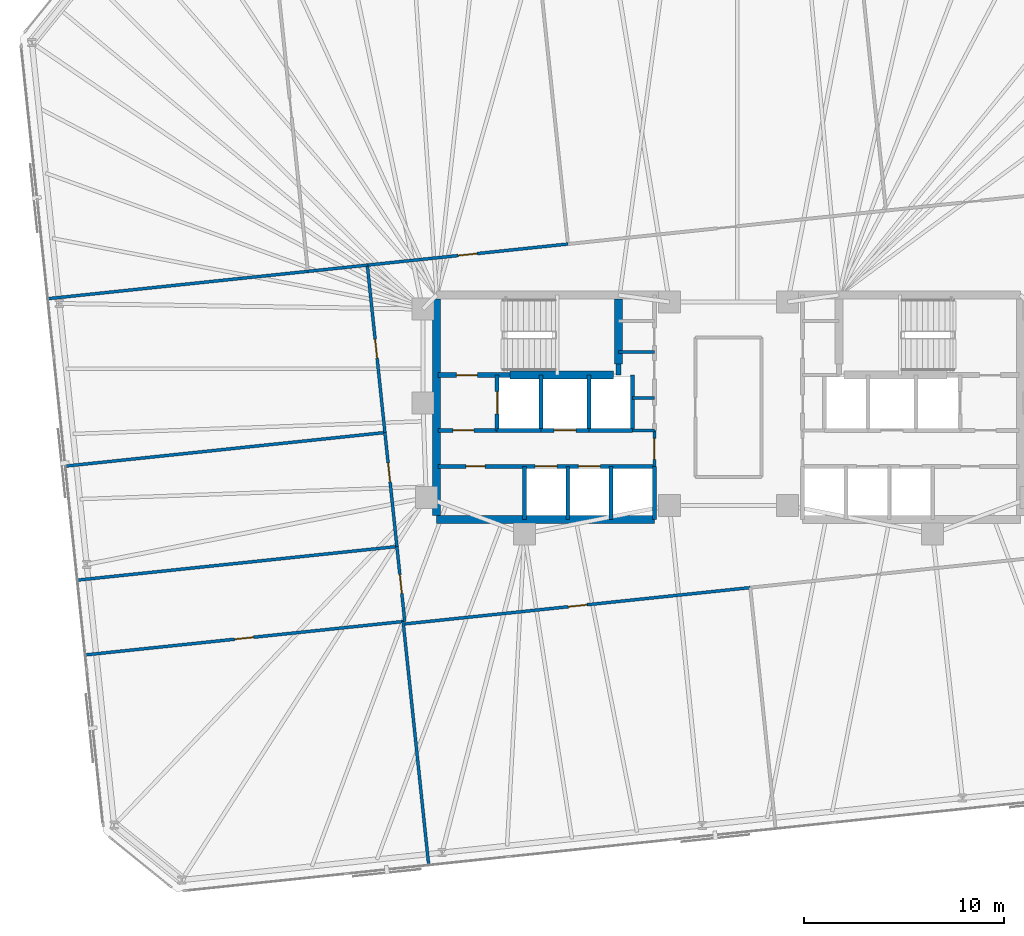
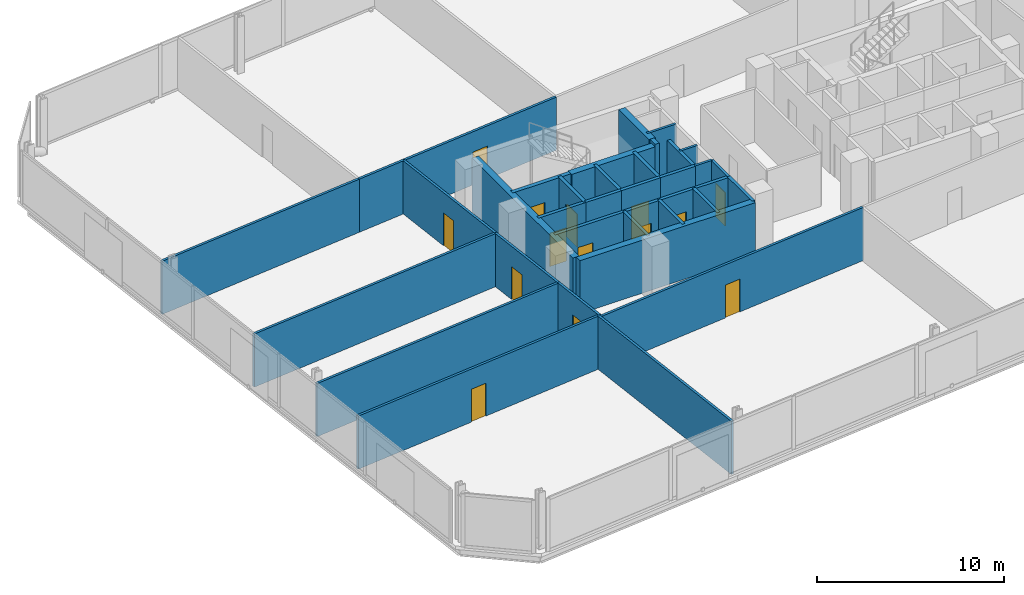
# One storey, part 14 of 18: 34 walls, 14 doors, 14 openings.
"""IFC4 building model written with IfcOpenShell, lengths in metres."""

from ifc_helpers import new_model, si_unit, direction, frame, frame_2d, origin, place, context, subcontext, project, spatial, rectangle, extrude, material, layer, layer_set, type_object, element, fill, save


model = new_model("IFC4")

# Units and contexts
model_context = context("Model", 3, precision=1e-05, world=origin(), true_north=direction((0.0, 1.0)))
body_context = subcontext(model_context, "Body", "Model", "MODEL_VIEW")
ifc_project = project(units=[si_unit("LENGTHUNIT", "METRE"), si_unit("AREAUNIT", "SQUARE_METRE"), si_unit("VOLUMEUNIT", "CUBIC_METRE"), si_unit("PLANEANGLEUNIT", "RADIAN"), si_unit("MASSUNIT", "GRAM", prefix="KILO")], contexts=[model_context])

# Site, building, storey
site_placement = place(None, origin())
site = spatial("IfcSite", under=ifc_project, at=site_placement, CompositionType="ELEMENT")
building_placement = place(site_placement, origin())
building = spatial("IfcBuilding", under=site, at=building_placement, Name="Menara Jurai Vektor", CompositionType="ELEMENT")
storey_placement = place(building_placement, frame((0.0, 0.0, 117.0)))
storey = spatial("IfcBuildingStorey", under=building, at=storey_placement, Name="L29", CompositionType="ELEMENT", Elevation=117.0)

# Wall, opening, door
ifc_material_1 = material(Name="Concrete C40/50", Category="concrete")
ifc_layer_1 = layer(ifc_material_1, 0.25)
ifc_layer_set_1 = layer_set([ifc_layer_1], Name="Concrete C40/50")
wall_type_1 = type_object("IfcWallType", Name="INT-WALL-CORE-250", PredefinedType="STANDARD", material=ifc_layer_set_1)
wall_1_placement = place(storey_placement, frame((-14.5, 1.60009765625, 0.0), z_axis=(0.0, 0.0, 1.0), x_axis=(1.0, 0.0, 0.0)))
wall_1 = element("IfcWall", 1, at=wall_1_placement, inside=storey, type_object=wall_type_1, Name="Interior Wall IW-250 L29", PredefinedType="STANDARD", context=body_context, shape_type="SweptSolid", body=[
    extrude(rectangle(XDim=3.60009765625, YDim=0.25, at=frame_2d((1.800048828125, 0.0))), origin(), (0.0, 0.0, 1.0), 3.47509765625),
])
opening_1_placement = place(wall_1_placement, frame((0.919921875, 0.0, 0.0)))
opening_1 = element("IfcOpeningElement", 2, at=opening_1_placement, cuts=wall_1, Name="Opening D-L29-ST1", PredefinedType="OPENING", context=body_context, shape_type="SweptSolid", body=[
    extrude(rectangle(XDim=1.050048828125, YDim=2.14990234375, at=frame_2d((0.52490234375, 1.074951171875))), frame((0.0, 0.135009765625, 0.0), z_axis=(0.0, -1.0, 0.0), x_axis=(1.0, 0.0, 0.0)), (0.0, 0.0, 1.0), 0.27001953125),
])
ifc_material_2 = material(Name="Fire-Rated Steel Door", Category="steel")
door_type_1 = type_object("IfcDoorType", Name="DR-STAIR-1050", OperationType="NOTDEFINED", PredefinedType="DOOR", material=ifc_material_2)
door_1_placement = place(opening_1_placement, origin())
door_1 = element("IfcDoor", 3, at=door_1_placement, inside=storey, type_object=door_type_1, Name="Exit Stair ST1 Door L29", OperationType="SINGLE_SWING_RIGHT", OverallHeight=2.14990234375, OverallWidth=1.050048828125, PredefinedType="DOOR", context=body_context, shape_type="SweptSolid", body=[
    extrude(rectangle(XDim=1.050048828125, YDim=2.14990234375, at=frame_2d((0.52490234375, 1.074951171875))), frame((0.0, 0.02490234375, 0.0), z_axis=(0.0, -1.0, 0.0), x_axis=(1.0, 0.0, 0.0)), (0.0, 0.0, 1.0), 0.050048828125),
])
fill(opening_1, door_1)

# Wall
wall_2_placement = place(storey_placement, frame((-5.5, 1.60009765625, 0.0), z_axis=(0.0, 0.0, 1.0), x_axis=(0.0, 1.0, 0.0)))
element("IfcWall", 4, at=wall_2_placement, inside=storey, type_object=wall_type_1, Name="Interior Wall IW-250 L29", PredefinedType="STANDARD", context=body_context, shape_type="SweptSolid", body=[
    extrude(rectangle(XDim=0.5498046875, YDim=0.25, at=frame_2d((0.27490234375, 0.0))), origin(), (0.0, 0.0, 1.0), 3.47509765625),
])

# Wall, opening, door
wall_3_placement = place(storey_placement, frame((-11.550048828125, -1.14990234375, 0.0), z_axis=(0.0, 0.0, 1.0), x_axis=(0.0, 1.0, 0.0)))
wall_3 = element("IfcWall", 5, at=wall_3_placement, inside=storey, type_object=wall_type_1, Name="Interior Wall IW-250 L29", PredefinedType="STANDARD", context=body_context, shape_type="SweptSolid", body=[
    extrude(rectangle(XDim=2.75, YDim=0.199951171875, at=frame_2d((1.375, 0.0))), origin(), (0.0, 0.0, 1.0), 3.47509765625),
])
opening_2_placement = place(wall_3_placement, frame((0.824951171875, 0.0, 0.0)))
opening_2 = element("IfcOpeningElement", 6, at=opening_2_placement, cuts=wall_3, Name="Opening LD-L29-FL1", PredefinedType="OPENING", context=body_context, shape_type="SweptSolid", body=[
    extrude(rectangle(XDim=1.10009765625, YDim=2.14990234375, at=frame_2d((0.550048828125, 1.074951171875))), frame((0.0, 0.10986328125, 0.0), z_axis=(0.0, -1.0, 0.0), x_axis=(1.0, 0.0, 0.0)), (0.0, 0.0, 1.0), 0.219970703125),
])
ifc_material_3 = material(Name="Stainless Steel Sliding Lift Landing Door", Category="steel")
door_type_2 = type_object("IfcDoorType", Name="DR-LIFT-FIRE-1100", OperationType="NOTDEFINED", PredefinedType="DOOR", material=ifc_material_3)
door_2_placement = place(opening_2_placement, origin())
door_2 = element("IfcDoor", 7, at=door_2_placement, inside=storey, type_object=door_type_2, Name="Lift Landing Door FL1 L29", OperationType="SLIDING_TO_RIGHT", OverallHeight=2.14990234375, OverallWidth=1.10009765625, PredefinedType="DOOR", context=body_context, shape_type="SweptSolid", body=[
    extrude(rectangle(XDim=1.10009765625, YDim=2.14990234375, at=frame_2d((0.550048828125, 1.074951171875))), frame((0.0, 0.02490234375, 0.0), z_axis=(0.0, -1.0, 0.0), x_axis=(1.0, 0.0, 0.0)), (0.0, 0.0, 1.0), 0.050048828125),
])
fill(opening_2, door_2)

# Wall
wall_4_placement = place(storey_placement, frame((-9.35009765625, -1.14990234375, 0.0), z_axis=(0.0, 0.0, 1.0), x_axis=(0.0, 1.0, 0.0)))
element("IfcWall", 8, at=wall_4_placement, inside=storey, type_object=wall_type_1, Name="Interior Wall IW-250 L29", PredefinedType="STANDARD", context=body_context, shape_type="SweptSolid", body=[
    extrude(rectangle(XDim=2.75, YDim=0.199951171875, at=frame_2d((1.375, 0.0))), origin(), (0.0, 0.0, 1.0), 3.47509765625),
])

# Wall, opening, door
wall_5_placement = place(storey_placement, frame((-14.5, -1.14990234375, 0.0), z_axis=(0.0, 0.0, 1.0), x_axis=(1.0, 0.0, 0.0)))
wall_5 = element("IfcWall", 9, at=wall_5_placement, inside=storey, type_object=wall_type_1, Name="Interior Wall IW-250 L29", PredefinedType="STANDARD", context=body_context, shape_type="SweptSolid", body=[
    extrude(rectangle(XDim=2.949951171875, YDim=0.199951171875, at=frame_2d((1.47509765625, 0.0))), origin(), (0.0, 0.0, 1.0), 3.47509765625),
])
opening_3_placement = place(wall_5_placement, frame((0.75, 0.0, 0.0)))
opening_3 = element("IfcOpeningElement", 10, at=opening_3_placement, cuts=wall_5, Name="Opening D-L29-FFW", PredefinedType="OPENING", context=body_context, shape_type="SweptSolid", body=[
    extrude(rectangle(XDim=1.050048828125, YDim=2.179931640625, at=frame_2d((0.52490234375, 1.08984375))), frame((0.0, 0.10986328125, 0.0), z_axis=(0.0, -1.0, 0.0), x_axis=(1.0, 0.0, 0.0)), (0.0, 0.0, 1.0), 0.219970703125),
])
ifc_material_4 = material(Name="Fire-Rated Timber Door", Category="wood")
door_type_3 = type_object("IfcDoorType", Name="DR-LOBBY-1050", OperationType="NOTDEFINED", PredefinedType="DOOR", material=ifc_material_4)
door_3_placement = place(opening_3_placement, origin())
door_3 = element("IfcDoor", 11, at=door_3_placement, inside=storey, type_object=door_type_3, Name="Fire Lift Lobby Door W L29", OperationType="SINGLE_SWING_RIGHT", OverallHeight=2.179931640625, OverallWidth=1.050048828125, PredefinedType="DOOR", context=body_context, shape_type="SweptSolid", body=[
    extrude(rectangle(XDim=1.050048828125, YDim=2.179931640625, at=frame_2d((0.52490234375, 1.08984375))), frame((0.0, 0.02490234375, 0.0), z_axis=(0.0, -1.0, 0.0), x_axis=(1.0, 0.0, 0.0)), (0.0, 0.0, 1.0), 0.050048828125),
])
fill(opening_3, door_3)

# Wall
wall_6_placement = place(storey_placement, frame((-11.550048828125, -1.14990234375, 0.0), z_axis=(0.0, 0.0, 1.0), x_axis=(1.0, 0.0, 0.0)))
element("IfcWall", 12, at=wall_6_placement, inside=storey, type_object=wall_type_1, Name="Interior Wall IW-250 L29", PredefinedType="STANDARD", context=body_context, shape_type="SweptSolid", body=[
    extrude(rectangle(XDim=2.199951171875, YDim=0.199951171875, at=frame_2d((1.10009765625, 0.0))), origin(), (0.0, 0.0, 1.0), 3.47509765625),
])

# Wall, opening, door
ifc_material_5 = material(Name="Gypsum Fireboard Partition", Category="gypsum")
ifc_layer_2 = layer(ifc_material_5, 0.14990234375)
ifc_layer_set_2 = layer_set([ifc_layer_2], Name="Gypsum Fireboard Partition")
wall_type_2 = type_object("IfcWallType", Name="INT-WALL-CORR-150", PredefinedType="PARTITIONING", material=ifc_layer_set_2)
wall_7_placement = place(storey_placement, frame((-3.699951171875, -2.949951171875, 0.0), z_axis=(0.0, 0.0, 1.0), x_axis=(0.0, 1.0, 0.0)))
wall_7 = element("IfcWall", 13, at=wall_7_placement, inside=storey, type_object=wall_type_2, Name="Interior Wall IW-150 L29", PredefinedType="PARTITIONING", context=body_context, shape_type="SweptSolid", body=[
    extrude(rectangle(XDim=1.800048828125, YDim=0.14990234375, at=frame_2d((0.89990234375, 0.0))), origin(), (0.0, 0.0, 1.0), 3.47509765625),
])
opening_4_placement = place(wall_7_placement, frame((0.35009765625, 0.0, 0.0)))
opening_4 = element("IfcOpeningElement", 14, at=opening_4_placement, cuts=wall_7, Name="Opening D-L29-LLW", PredefinedType="OPENING", context=body_context, shape_type="SweptSolid", body=[
    extrude(rectangle(XDim=1.050048828125, YDim=2.179931640625, at=frame_2d((0.52490234375, 1.08984375))), frame((0.0, 0.0849609375, 0.0), z_axis=(0.0, -1.0, 0.0), x_axis=(1.0, 0.0, 0.0)), (0.0, 0.0, 1.0), 0.169921875),
])
door_4_placement = place(opening_4_placement, origin())
door_4 = element("IfcDoor", 15, at=door_4_placement, inside=storey, type_object=door_type_3, Name="Lift Lobby Corridor Door W L29", OperationType="SINGLE_SWING_LEFT", OverallHeight=2.179931640625, OverallWidth=1.050048828125, PredefinedType="DOOR", context=body_context, shape_type="SweptSolid", body=[
    extrude(rectangle(XDim=1.050048828125, YDim=2.179931640625, at=frame_2d((0.52490234375, 1.08984375))), frame((0.0, 0.02490234375, 0.0), z_axis=(0.0, -1.0, 0.0), x_axis=(1.0, 0.0, 0.0)), (0.0, 0.0, 1.0), 0.050048828125),
])
fill(opening_4, door_4)

# Walls
for number, where, z_axis, x_axis, name in (
    (16, (-4.7900390625, -1.14990234375, 0.0), (0.0, 0.0, 1.0), (1.0, 0.0, 0.0), "Interior Wall IW-150 L29"),
    (17, (-4.7900390625, 0.449951171875, 0.0), (0.0, 0.0, 1.0), (1.0, 0.0, 0.0), "Interior Wall IW-150 L29"),
):
    element("IfcWall", number, at=place(storey_placement, frame(where, z_axis=z_axis, x_axis=x_axis)), inside=storey, type_object=wall_type_2, Name=name, PredefinedType="PARTITIONING", context=body_context, shape_type="SweptSolid", body=[
        extrude(rectangle(XDim=1.090087890625, YDim=0.14990234375, at=frame_2d((0.544921875, 0.0))), origin(), (0.0, 0.0, 1.0), 3.47509765625),
    ])
wall_8_placement = place(storey_placement, frame((-5.5, 2.75, 0.0), z_axis=(0.0, 0.0, 1.0), x_axis=(1.0, 0.0, 0.0)))
element("IfcWall", 18, at=wall_8_placement, inside=storey, type_object=wall_type_2, Name="Interior Wall IW-150 L29", PredefinedType="PARTITIONING", context=body_context, shape_type="SweptSolid", body=[
    extrude(rectangle(XDim=1.800048828125, YDim=0.14990234375, at=frame_2d((0.89990234375, 0.0))), origin(), (0.0, 0.0, 1.0), 3.47509765625),
])

# Wall, opening, door
wall_9_placement = place(storey_placement, frame((-18.021240234375, 7.09033203125, 0.0), z_axis=(0.0, 0.0, 1.0), x_axis=(0.994522183983, 0.104525717249, 0.0)))
wall_9 = element("IfcWall", 19, at=wall_9_placement, inside=storey, type_object=wall_type_2, Name="Interior Wall IW-150 L29", PredefinedType="PARTITIONING", context=body_context, shape_type="SweptSolid", body=[
    extrude(rectangle(XDim=10.06689453125, YDim=0.14990234375, at=frame_2d((5.033447265625, 0.0))), origin(), (0.0, 0.0, 1.0), 3.47509765625),
])
opening_5_placement = place(wall_9_placement, frame((4.55859375, 0.0, 0.0)))
opening_5 = element("IfcOpeningElement", 20, at=opening_5_placement, cuts=wall_9, Name="Opening D29-09", PredefinedType="OPENING", context=body_context, shape_type="SweptSolid", body=[
    extrude(rectangle(XDim=0.949951171875, YDim=2.14990234375, at=frame_2d((0.47509765625, 1.074951171875))), frame((0.0, 0.0849609375, 0.0), z_axis=(0.0, -1.0, 0.0), x_axis=(1.0, 0.0, 0.0)), (0.0, 0.0, 1.0), 0.169921875),
])
ifc_material_6 = material(Name="Solid Core Timber Fire Door", Category="wood")
door_type_4 = type_object("IfcDoorType", Name="DR-ENTRY-950", OperationType="NOTDEFINED", PredefinedType="DOOR", material=ifc_material_6)
door_5_placement = place(opening_5_placement, origin())
door_5 = element("IfcDoor", 21, at=door_5_placement, inside=storey, type_object=door_type_4, Name="Interior Door D29-09", OperationType="SINGLE_SWING_RIGHT", OverallHeight=2.14990234375, OverallWidth=0.949951171875, PredefinedType="DOOR", context=body_context, shape_type="SweptSolid", body=[
    extrude(rectangle(XDim=0.949951171875, YDim=2.14990234375, at=frame_2d((0.47509765625, 1.074951171875))), frame((0.0, 0.02490234375, 0.0), z_axis=(0.0, -1.0, 0.0), x_axis=(1.0, 0.0, 0.0)), (0.0, 0.0, 1.0), 0.050048828125),
])
fill(opening_5, door_5)

wall_10_placement = place(storey_placement, frame((-16.139892578125, -10.80908203125, 0.0), z_axis=(0.0, 0.0, 1.0), x_axis=(0.994522126729, 0.104526261998, 0.0)))
wall_10 = element("IfcWall", 22, at=wall_10_placement, inside=storey, type_object=wall_type_2, Name="Interior Wall IW-150 L29", PredefinedType="PARTITIONING", context=body_context, shape_type="SweptSolid", body=[
    extrude(rectangle(XDim=17.31689453125, YDim=0.14990234375, at=frame_2d((8.658447265625, 0.0))), origin(), (0.0, 0.0, 1.0), 3.47509765625),
])
opening_6_placement = place(wall_10_placement, frame((8.18359375, 0.0, 0.0)))
opening_6 = element("IfcOpeningElement", 23, at=opening_6_placement, cuts=wall_10, Name="Opening D29-12", PredefinedType="OPENING", context=body_context, shape_type="SweptSolid", body=[
    extrude(rectangle(XDim=0.949951171875, YDim=2.14990234375, at=frame_2d((0.47509765625, 1.074951171875))), frame((0.0, 0.0849609375, 0.0), z_axis=(0.0, -1.0, 0.0), x_axis=(1.0, 0.0, 0.0)), (0.0, 0.0, 1.0), 0.169921875),
])
door_6_placement = place(opening_6_placement, origin())
door_6 = element("IfcDoor", 24, at=door_6_placement, inside=storey, type_object=door_type_4, Name="Interior Door D29-12", OperationType="SINGLE_SWING_LEFT", OverallHeight=2.14990234375, OverallWidth=0.949951171875, PredefinedType="DOOR", context=body_context, shape_type="SweptSolid", body=[
    extrude(rectangle(XDim=0.949951171875, YDim=2.14990234375, at=frame_2d((0.47509765625, 1.074951171875))), frame((0.0, 0.02490234375, 0.0), z_axis=(0.0, -1.0, 0.0), x_axis=(1.0, 0.0, 0.0)), (0.0, 0.0, 1.0), 0.050048828125),
])
fill(opening_6, door_6)

wall_11_placement = place(storey_placement, frame((-16.1533203125, -10.681884765625, 0.0), z_axis=(0.0, 0.0, 1.0), x_axis=(-0.104539173002, 0.994520769671, 0.0)))
wall_11 = element("IfcWall", 25, at=wall_11_placement, inside=storey, type_object=wall_type_2, Name="Interior Wall IW-150 L29", PredefinedType="PARTITIONING", context=body_context, shape_type="SweptSolid", body=[
    extrude(rectangle(XDim=3.7529296875, YDim=0.14990234375, at=frame_2d((1.87646484375, 0.0))), origin(), (0.0, 0.0, 1.0), 3.47509765625),
])
opening_7_placement = place(wall_11_placement, frame((1.401611328125, 0.0, 0.0)))
opening_7 = element("IfcOpeningElement", 26, at=opening_7_placement, cuts=wall_11, Name="Opening D29-14", PredefinedType="OPENING", context=body_context, shape_type="SweptSolid", body=[
    extrude(rectangle(XDim=0.949951171875, YDim=2.14990234375, at=frame_2d((0.47509765625, 1.074951171875))), frame((0.0, 0.0849609375, 0.0), z_axis=(0.0, -1.0, 0.0), x_axis=(1.0, 0.0, 0.0)), (0.0, 0.0, 1.0), 0.169921875),
])
door_7_placement = place(opening_7_placement, origin())
door_7 = element("IfcDoor", 27, at=door_7_placement, inside=storey, type_object=door_type_4, Name="Interior Door D29-14", OperationType="SINGLE_SWING_LEFT", OverallHeight=2.14990234375, OverallWidth=0.949951171875, PredefinedType="DOOR", context=body_context, shape_type="SweptSolid", body=[
    extrude(rectangle(XDim=0.949951171875, YDim=2.14990234375, at=frame_2d((0.47509765625, 1.074951171875))), frame((0.0, 0.02490234375, 0.0), z_axis=(0.0, -1.0, 0.0), x_axis=(1.0, 0.0, 0.0)), (0.0, 0.0, 1.0), 0.050048828125),
])
fill(opening_7, door_7)

wall_12_placement = place(storey_placement, frame((-16.545654296875, -6.949462890625, 0.0), z_axis=(0.0, 0.0, 1.0), x_axis=(-0.104520314957, 0.994522751756, 0.0)))
wall_12 = element("IfcWall", 28, at=wall_12_placement, inside=storey, type_object=wall_type_2, Name="Interior Wall IW-150 L29", PredefinedType="PARTITIONING", context=body_context, shape_type="SweptSolid", body=[
    extrude(rectangle(XDim=5.718017578125, YDim=0.14990234375, at=frame_2d((2.85888671875, 0.0))), origin(), (0.0, 0.0, 1.0), 3.47509765625),
])
opening_8_placement = place(wall_12_placement, frame((3.24169921875, 0.0, 0.0)))
opening_8 = element("IfcOpeningElement", 29, at=opening_8_placement, cuts=wall_12, Name="Opening D29-15", PredefinedType="OPENING", context=body_context, shape_type="SweptSolid", body=[
    extrude(rectangle(XDim=0.949951171875, YDim=2.14990234375, at=frame_2d((0.47509765625, 1.074951171875))), frame((0.0, 0.0849609375, 0.0), z_axis=(0.0, -1.0, 0.0), x_axis=(1.0, 0.0, 0.0)), (0.0, 0.0, 1.0), 0.169921875),
])
door_8_placement = place(opening_8_placement, origin())
door_8 = element("IfcDoor", 30, at=door_8_placement, inside=storey, type_object=door_type_4, Name="Interior Door D29-15", OperationType="SINGLE_SWING_RIGHT", OverallHeight=2.14990234375, OverallWidth=0.949951171875, PredefinedType="DOOR", context=body_context, shape_type="SweptSolid", body=[
    extrude(rectangle(XDim=0.949951171875, YDim=2.14990234375, at=frame_2d((0.47509765625, 1.074951171875))), frame((0.0, 0.02490234375, 0.0), z_axis=(0.0, -1.0, 0.0), x_axis=(1.0, 0.0, 0.0)), (0.0, 0.0, 1.0), 0.050048828125),
])
fill(opening_8, door_8)

wall_13_placement = place(storey_placement, frame((-17.143310546875, -1.2626953125, 0.0), z_axis=(0.0, 0.0, 1.0), x_axis=(-0.104527419485, 0.994522005074, 0.0)))
wall_13 = element("IfcWall", 31, at=wall_13_placement, inside=storey, type_object=wall_type_2, Name="Interior Wall IW-150 L29", PredefinedType="PARTITIONING", context=body_context, shape_type="SweptSolid", body=[
    extrude(rectangle(XDim=8.39892578125, YDim=0.14990234375, at=frame_2d((4.199462890625, 0.0))), origin(), (0.0, 0.0, 1.0), 3.47509765625),
])
opening_9_placement = place(wall_13_placement, frame((3.724609375, 0.0, 0.0)))
opening_9 = element("IfcOpeningElement", 32, at=opening_9_placement, cuts=wall_13, Name="Opening D29-16", PredefinedType="OPENING", context=body_context, shape_type="SweptSolid", body=[
    extrude(rectangle(XDim=0.949951171875, YDim=2.14990234375, at=frame_2d((0.47509765625, 1.074951171875))), frame((0.0, 0.0849609375, 0.0), z_axis=(0.0, -1.0, 0.0), x_axis=(1.0, 0.0, 0.0)), (0.0, 0.0, 1.0), 0.169921875),
])
door_9_placement = place(opening_9_placement, origin())
door_9 = element("IfcDoor", 33, at=door_9_placement, inside=storey, type_object=door_type_4, Name="Interior Door D29-16", OperationType="SINGLE_SWING_LEFT", OverallHeight=2.14990234375, OverallWidth=0.949951171875, PredefinedType="DOOR", context=body_context, shape_type="SweptSolid", body=[
    extrude(rectangle(XDim=0.949951171875, YDim=2.14990234375, at=frame_2d((0.47509765625, 1.074951171875))), frame((0.0, 0.02490234375, 0.0), z_axis=(0.0, -1.0, 0.0), x_axis=(1.0, 0.0, 0.0)), (0.0, 0.0, 1.0), 0.050048828125),
])
fill(opening_9, door_9)

# Walls
wall_14_placement = place(storey_placement, frame((-33.966552734375, 5.414306640625, 0.0), z_axis=(0.0, 0.0, 1.0), x_axis=(0.994520613947, 0.104540654453, 0.0)))
element("IfcWall", 34, at=wall_14_placement, inside=storey, type_object=wall_type_2, Name="Interior Wall IW-150 L29", PredefinedType="PARTITIONING", context=body_context, shape_type="SweptSolid", body=[
    extrude(rectangle(XDim=13.050048828125, YDim=0.14990234375, at=frame_2d((6.52490234375, 0.0))), origin(), (0.0, 0.0, 1.0), 3.47509765625),
])
wall_15_placement = place(storey_placement, frame((-20.988037109375, 6.778564453125, 0.0), z_axis=(0.0, 0.0, 1.0), x_axis=(0.994523823632, 0.104510115436, 0.0)))
element("IfcWall", 35, at=wall_15_placement, inside=storey, type_object=wall_type_2, Name="Interior Wall IW-150 L29", PredefinedType="PARTITIONING", context=body_context, shape_type="SweptSolid", body=[
    extrude(rectangle(XDim=2.983154296875, YDim=0.14990234375, at=frame_2d((1.49169921875, 0.0))), origin(), (0.0, 0.0, 1.0), 3.47509765625),
])
wall_16_placement = place(storey_placement, frame((-14.95849609375, -22.844482421875, 0.0), z_axis=(0.0, 0.0, 1.0), x_axis=(-0.104540236679, 0.994520657862, 0.0)))
element("IfcWall", 36, at=wall_16_placement, inside=storey, type_object=wall_type_2, Name="Interior Wall IW-150 L29", PredefinedType="PARTITIONING", context=body_context, shape_type="SweptSolid", body=[
    extrude(rectangle(XDim=12.220947265625, YDim=0.14990234375, at=frame_2d((6.1103515625, 0.0))), origin(), (0.0, 0.0, 1.0), 3.47509765625),
])

# Wall, opening, door
wall_17_placement = place(storey_placement, frame((-32.0986328125, -12.357666015625, 0.0), z_axis=(0.0, 0.0, 1.0), x_axis=(0.994521795881, 0.104529409818, 0.0)))
wall_17 = element("IfcWall", 37, at=wall_17_placement, inside=storey, type_object=wall_type_2, Name="Interior Wall IW-150 L29", PredefinedType="PARTITIONING", context=body_context, shape_type="SweptSolid", body=[
    extrude(rectangle(XDim=15.949951171875, YDim=0.14990234375, at=frame_2d((7.97509765625, 0.0))), origin(), (0.0, 0.0, 1.0), 3.47509765625),
])
opening_10_placement = place(wall_17_placement, frame((7.5, 0.0, 0.0)))
opening_10 = element("IfcOpeningElement", 38, at=opening_10_placement, cuts=wall_17, Name="Opening D29-21", PredefinedType="OPENING", context=body_context, shape_type="SweptSolid", body=[
    extrude(rectangle(XDim=0.949951171875, YDim=2.14990234375, at=frame_2d((0.47509765625, 1.074951171875))), frame((0.0, 0.0849609375, 0.0), z_axis=(0.0, -1.0, 0.0), x_axis=(1.0, 0.0, 0.0)), (0.0, 0.0, 1.0), 0.169921875),
])
door_10_placement = place(opening_10_placement, origin())
door_10 = element("IfcDoor", 39, at=door_10_placement, inside=storey, type_object=door_type_4, Name="Interior Door D29-21", OperationType="SINGLE_SWING_RIGHT", OverallHeight=2.14990234375, OverallWidth=0.949951171875, PredefinedType="DOOR", context=body_context, shape_type="SweptSolid", body=[
    extrude(rectangle(XDim=0.949951171875, YDim=2.14990234375, at=frame_2d((0.47509765625, 1.074951171875))), frame((0.0, 0.02490234375, 0.0), z_axis=(0.0, -1.0, 0.0), x_axis=(1.0, 0.0, 0.0)), (0.0, 0.0, 1.0), 0.050048828125),
])
fill(opening_10, door_10)

# Walls
for number, where, z_axis, x_axis, name in (
    (40, (-32.490966796875, -8.625244140625, 0.0), (0.0, 0.0, 1.0), (0.994522794159, 0.104519911488, 0.0), "Interior Wall IW-150 L29"),
    (41, (-33.088623046875, -2.938720703125, 0.0), (0.0, 0.0, 1.0), (0.994521211213, 0.104534972363, 0.0), "Interior Wall IW-150 L29"),
):
    element("IfcWall", number, at=place(storey_placement, frame(where, z_axis=z_axis, x_axis=x_axis)), inside=storey, type_object=wall_type_2, Name=name, PredefinedType="PARTITIONING", context=body_context, shape_type="SweptSolid", body=[
        extrude(rectangle(XDim=16.033203125, YDim=0.14990234375, at=frame_2d((8.0166015625, 0.0))), origin(), (0.0, 0.0, 1.0), 3.47509765625),
    ])
ifc_layer_3 = layer(ifc_material_1, 0.199951171875)
ifc_layer_set_3 = layer_set([ifc_layer_3], Name="Concrete C40/50")
wall_type_3 = type_object("IfcWallType", Name="INT-WALL-SHAFT-200", PredefinedType="STANDARD", material=ifc_layer_set_3)
wall_18_placement = place(storey_placement, frame((-3.699951171875, -5.60009765625, 0.0), z_axis=(0.0, 0.0, 1.0), x_axis=(0.0, 1.0, 0.0)))
element("IfcWall", 42, at=wall_18_placement, inside=storey, type_object=wall_type_3, Name="Interior Wall IW-200 L29", PredefinedType="STANDARD", context=body_context, shape_type="SweptSolid", body=[
    extrude(rectangle(XDim=2.650146484375, YDim=0.199951171875, at=frame_2d((1.3251953125, 0.0))), origin(), (0.0, 0.0, 1.0), 3.47509765625),
])
wall_19_placement = place(storey_placement, frame((-6.949951171875, -1.14990234375, 0.0), z_axis=(0.0, 0.0, 1.0), x_axis=(0.0, 1.0, 0.0)))
element("IfcWall", 43, at=wall_19_placement, inside=storey, type_object=wall_type_3, Name="Interior Wall IW-200 L29", PredefinedType="STANDARD", context=body_context, shape_type="SweptSolid", body=[
    extrude(rectangle(XDim=2.75, YDim=0.199951171875, at=frame_2d((1.375, 0.0))), origin(), (0.0, 0.0, 1.0), 3.47509765625),
])

# Wall, opening, door
wall_20_placement = place(storey_placement, frame((-9.35009765625, -1.14990234375, 0.0), z_axis=(0.0, 0.0, 1.0), x_axis=(1.0, 0.0, 0.0)))
wall_20 = element("IfcWall", 44, at=wall_20_placement, inside=storey, type_object=wall_type_3, Name="Interior Wall IW-200 L29", PredefinedType="STANDARD", context=body_context, shape_type="SweptSolid", body=[
    extrude(rectangle(XDim=2.400146484375, YDim=0.199951171875, at=frame_2d((1.2001953125, 0.0))), origin(), (0.0, 0.0, 1.0), 3.47509765625),
])
opening_11_placement = place(wall_20_placement, frame((0.64990234375, 0.0, 0.0)))
opening_11 = element("IfcOpeningElement", 45, at=opening_11_placement, cuts=wall_20, Name="Opening LD-L29-SVL1", PredefinedType="OPENING", context=body_context, shape_type="SweptSolid", body=[
    extrude(rectangle(XDim=1.10009765625, YDim=2.14990234375, at=frame_2d((0.550048828125, 1.074951171875))), frame((0.0, 0.10986328125, 0.0), z_axis=(0.0, -1.0, 0.0), x_axis=(1.0, 0.0, 0.0)), (0.0, 0.0, 1.0), 0.219970703125),
])
ifc_material_7 = material(Name="Anodised Stainless Sliding Lift Landing Door", Category="steel")
door_type_5 = type_object("IfcDoorType", Name="DR-LIFT-PASS-1100", OperationType="NOTDEFINED", PredefinedType="DOOR", material=ifc_material_7)
door_11_placement = place(opening_11_placement, origin())
door_11 = element("IfcDoor", 46, at=door_11_placement, inside=storey, type_object=door_type_5, Name="Lift Landing Door SVL1 L29", OperationType="SLIDING_TO_RIGHT", OverallHeight=2.14990234375, OverallWidth=1.10009765625, PredefinedType="DOOR", context=body_context, shape_type="SweptSolid", body=[
    extrude(rectangle(XDim=1.10009765625, YDim=2.14990234375, at=frame_2d((0.550048828125, 1.074951171875))), frame((0.0, 0.02490234375, 0.0), z_axis=(0.0, -1.0, 0.0), x_axis=(1.0, 0.0, 0.0)), (0.0, 0.0, 1.0), 0.050048828125),
])
fill(opening_11, door_11)

# Walls
wall_21_placement = place(storey_placement, frame((-4.7900390625, -1.14990234375, 0.0), z_axis=(0.0, 0.0, 1.0), x_axis=(0.0, 1.0, 0.0)))
element("IfcWall", 47, at=wall_21_placement, inside=storey, type_object=wall_type_3, Name="Interior Wall IW-200 L29", PredefinedType="STANDARD", context=body_context, shape_type="SweptSolid", body=[
    extrude(rectangle(XDim=2.75, YDim=0.199951171875, at=frame_2d((1.375, 0.0))), origin(), (0.0, 0.0, 1.0), 3.47509765625),
])
wall_22_placement = place(storey_placement, frame((-6.949951171875, -1.14990234375, 0.0), z_axis=(0.0, 0.0, 1.0), x_axis=(1.0, 0.0, 0.0)))
element("IfcWall", 48, at=wall_22_placement, inside=storey, type_object=wall_type_3, Name="Interior Wall IW-200 L29", PredefinedType="STANDARD", context=body_context, shape_type="SweptSolid", body=[
    extrude(rectangle(XDim=2.159912109375, YDim=0.199951171875, at=frame_2d((1.080078125, 0.0))), origin(), (0.0, 0.0, 1.0), 3.47509765625),
])

# Wall, openings, doors
wall_23_placement = place(storey_placement, frame((-14.5, -2.949951171875, 0.0), z_axis=(0.0, 0.0, 1.0), x_axis=(1.0, 0.0, 0.0)))
wall_23 = element("IfcWall", 49, at=wall_23_placement, inside=storey, type_object=wall_type_3, Name="Interior Wall IW-200 L29", PredefinedType="STANDARD", context=body_context, shape_type="SweptSolid", body=[
    extrude(rectangle(XDim=10.800048828125, YDim=0.199951171875, at=frame_2d((5.39990234375, 0.0))), origin(), (0.0, 0.0, 1.0), 3.47509765625),
])
opening_12_placement = place(wall_23_placement, frame((4.85009765625, 0.0, 0.0)))
opening_12 = element("IfcOpeningElement", 50, at=opening_12_placement, cuts=wall_23, Name="Opening LD-L29-PM1", PredefinedType="OPENING", context=body_context, shape_type="SweptSolid", body=[
    extrude(rectangle(XDim=1.10009765625, YDim=2.14990234375, at=frame_2d((0.550048828125, 1.074951171875))), frame((0.0, 0.10986328125, 0.0), z_axis=(0.0, -1.0, 0.0), x_axis=(1.0, 0.0, 0.0)), (0.0, 0.0, 1.0), 0.219970703125),
])
opening_13_placement = place(wall_23_placement, frame((7.010009765625, 0.0, 0.0)))
opening_13 = element("IfcOpeningElement", 51, at=opening_13_placement, cuts=wall_23, Name="Opening LD-L29-PM2", PredefinedType="OPENING", context=body_context, shape_type="SweptSolid", body=[
    extrude(rectangle(XDim=1.10009765625, YDim=2.14990234375, at=frame_2d((0.550048828125, 1.074951171875))), frame((0.0, 0.10986328125, 0.0), z_axis=(0.0, -1.0, 0.0), x_axis=(1.0, 0.0, 0.0)), (0.0, 0.0, 1.0), 0.219970703125),
])
opening_14_placement = place(wall_23_placement, frame((1.39990234375, 0.0, 0.0)))
opening_14 = element("IfcOpeningElement", 52, at=opening_14_placement, cuts=wall_23, Name="Opening D29-01", PredefinedType="OPENING", context=body_context, shape_type="SweptSolid", body=[
    extrude(rectangle(XDim=0.949951171875, YDim=2.14990234375, at=frame_2d((0.47509765625, 1.074951171875))), frame((0.0, 0.10986328125, 0.0), z_axis=(0.0, -1.0, 0.0), x_axis=(1.0, 0.0, 0.0)), (0.0, 0.0, 1.0), 0.219970703125),
])
door_12_placement = place(opening_14_placement, origin())
door_12 = element("IfcDoor", 53, at=door_12_placement, inside=storey, type_object=door_type_4, Name="Interior Door D29-01", OperationType="SINGLE_SWING_LEFT", OverallHeight=2.14990234375, OverallWidth=0.949951171875, PredefinedType="DOOR", context=body_context, shape_type="SweptSolid", body=[
    extrude(rectangle(XDim=0.949951171875, YDim=2.14990234375, at=frame_2d((0.47509765625, 1.074951171875))), frame((0.0, 0.02490234375, 0.0), z_axis=(0.0, -1.0, 0.0), x_axis=(1.0, 0.0, 0.0)), (0.0, 0.0, 1.0), 0.050048828125),
])
fill(opening_14, door_12)
door_13_placement = place(opening_12_placement, origin())
door_13 = element("IfcDoor", 54, at=door_13_placement, inside=storey, type_object=door_type_5, Name="Lift Landing Door PM1 L29", OperationType="SLIDING_TO_LEFT", OverallHeight=2.14990234375, OverallWidth=1.10009765625, PredefinedType="DOOR", context=body_context, shape_type="SweptSolid", body=[
    extrude(rectangle(XDim=1.10009765625, YDim=2.14990234375, at=frame_2d((0.550048828125, 1.074951171875))), frame((0.0, 0.02490234375, 0.0), z_axis=(0.0, -1.0, 0.0), x_axis=(1.0, 0.0, 0.0)), (0.0, 0.0, 1.0), 0.050048828125),
])
fill(opening_12, door_13)
door_14_placement = place(opening_13_placement, origin())
door_14 = element("IfcDoor", 55, at=door_14_placement, inside=storey, type_object=door_type_5, Name="Lift Landing Door PM2 L29", OperationType="SLIDING_TO_LEFT", OverallHeight=2.14990234375, OverallWidth=1.10009765625, PredefinedType="DOOR", context=body_context, shape_type="SweptSolid", body=[
    extrude(rectangle(XDim=1.10009765625, YDim=2.14990234375, at=frame_2d((0.550048828125, 1.074951171875))), frame((0.0, 0.02490234375, 0.0), z_axis=(0.0, -1.0, 0.0), x_axis=(1.0, 0.0, 0.0)), (0.0, 0.0, 1.0), 0.050048828125),
])
fill(opening_13, door_14)

# Walls
wall_24_placement = place(storey_placement, frame((-5.860107421875, -5.60009765625, 0.0), z_axis=(0.0, 0.0, 1.0), x_axis=(0.0, 1.0, 0.0)))
element("IfcWall", 56, at=wall_24_placement, inside=storey, type_object=wall_type_3, Name="Interior Wall IW-200 L29", PredefinedType="STANDARD", context=body_context, shape_type="SweptSolid", body=[
    extrude(rectangle(XDim=2.650146484375, YDim=0.199951171875, at=frame_2d((1.3251953125, 0.0))), origin(), (0.0, 0.0, 1.0), 3.47509765625),
])
for number, where, z_axis, x_axis, name in (
    (57, (-10.179931640625, -5.60009765625, 0.0), (0.0, 0.0, 1.0), (0.0, 1.0, 0.0), "Interior Wall IW-200 L29"),
    (58, (-8.02001953125, -5.60009765625, 0.0), (0.0, 0.0, 1.0), (0.0, 1.0, 0.0), "Interior Wall IW-200 L29"),
):
    element("IfcWall", number, at=place(storey_placement, frame(where, z_axis=z_axis, x_axis=x_axis)), inside=storey, type_object=wall_type_3, Name=name, PredefinedType="STANDARD", context=body_context, shape_type="SweptSolid", body=[
        extrude(rectangle(XDim=2.650146484375, YDim=0.179931640625, at=frame_2d((1.3251953125, 0.0))), origin(), (0.0, 0.0, 1.0), 3.47509765625),
    ])
ifc_material_8 = material(Name="Concrete C50/60", Category="concrete")
ifc_layer_4 = layer(ifc_material_8, 0.39990234375)
ifc_layer_set_4 = layer_set([ifc_layer_4], Name="Concrete C50/60")
wall_type_4 = type_object("IfcWallType", Name="STR-WALL-CORE400", PredefinedType="SHEAR", material=ifc_layer_set_4)
wall_25_placement = place(storey_placement, frame((-14.56005859375, -5.60009765625, 0.0), z_axis=(0.0, 0.0, 1.0), x_axis=(1.0, 0.0, 0.0)))
element("IfcWall", 59, at=wall_25_placement, inside=storey, type_object=wall_type_4, Name="Core Shear Wall CW-W-S L29", PredefinedType="SHEAR", context=body_context, shape_type="SweptSolid", body=[
    extrude(rectangle(XDim=10.860107421875, YDim=0.39990234375, at=frame_2d((5.43017578125, 0.0))), origin(), (0.0, 0.0, 1.0), 3.47509765625),
])
wall_26_placement = place(storey_placement, frame((-14.56005859375, -5.39990234375, 0.0), z_axis=(0.0, 0.0, 1.0), x_axis=(0.0, 1.0, 0.0)))
element("IfcWall", 60, at=wall_26_placement, inside=storey, type_object=wall_type_4, Name="Core Shear Wall CW-W-W L29", PredefinedType="SHEAR", context=body_context, shape_type="SweptSolid", body=[
    extrude(rectangle(XDim=10.7998046875, YDim=0.39990234375, at=frame_2d((5.39990234375, 0.0))), origin(), (0.0, 0.0, 1.0), 3.47509765625),
])
wall_27_placement = place(storey_placement, frame((-5.5, 2.14990234375, 0.0), z_axis=(0.0, 0.0, 1.0), x_axis=(0.0, 1.0, 0.0)))
element("IfcWall", 61, at=wall_27_placement, inside=storey, type_object=wall_type_4, Name="Core Shear Wall CW-W-ST L29", PredefinedType="SHEAR", context=body_context, shape_type="SweptSolid", body=[
    extrude(rectangle(XDim=3.25, YDim=0.39990234375, at=frame_2d((1.625, 0.0))), origin(), (0.0, 0.0, 1.0), 3.47509765625),
])
wall_28_placement = place(storey_placement, frame((-10.89990234375, 1.60009765625, 0.0), z_axis=(0.0, 0.0, 1.0), x_axis=(1.0, 0.0, 0.0)))
element("IfcWall", 62, at=wall_28_placement, inside=storey, type_object=wall_type_4, Name="Core Shear Wall CW-W-STS L29", PredefinedType="SHEAR", context=body_context, shape_type="SweptSolid", body=[
    extrude(rectangle(XDim=5.14990234375, YDim=0.39990234375, at=frame_2d((2.574951171875, 0.0))), origin(), (0.0, 0.0, 1.0), 3.47509765625),
])

save(model, "model.ifc")
